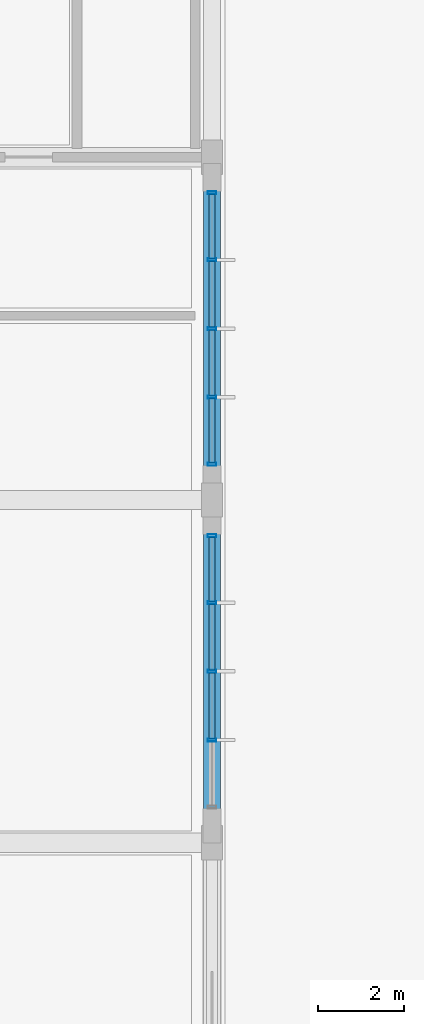
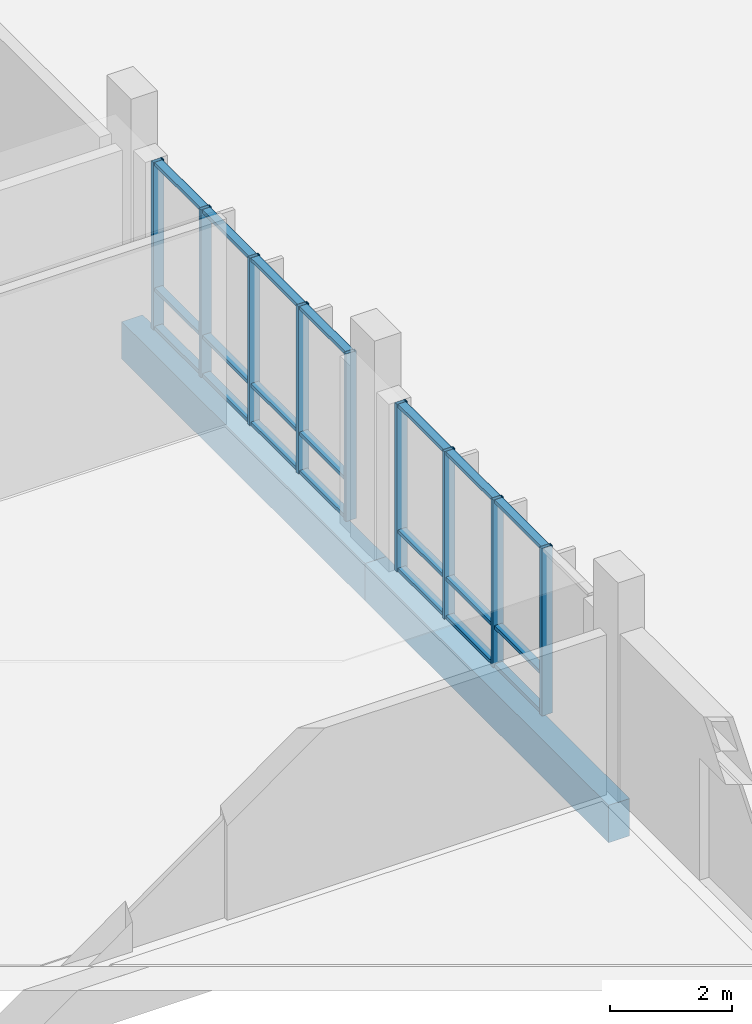
# One storey, part 122 of 233: 30 members, 2 beams, 2 elements without a shape of their own.
"""IFC4 building model written with IfcOpenShell, lengths in metres."""

from ifc_helpers import new_model, si_unit, direction, frame, origin, origin_2d, place, context, subcontext, project, spatial, rectangle, hollow_rectangle, extrude, material, material_profile, profile_set, type_object, element, aggregate, save


model = new_model("IFC4")

# Units and contexts
model_context = context("Model", 3, precision=1e-05, world=origin(), true_north=direction((0.0, 1.0)))
body_context = subcontext(model_context, "Body", "Model", "MODEL_VIEW")
ifc_project = project(units=[si_unit("LENGTHUNIT", "METRE"), si_unit("AREAUNIT", "SQUARE_METRE"), si_unit("VOLUMEUNIT", "CUBIC_METRE"), si_unit("PLANEANGLEUNIT", "RADIAN"), si_unit("MASSUNIT", "GRAM", prefix="KILO")], contexts=[model_context])

# Site, building, storey
site_placement = place(None, origin())
site = spatial("IfcSite", under=ifc_project, at=site_placement, CompositionType="ELEMENT")
building_placement = place(site_placement, origin())
building = spatial("IfcBuilding", under=site, at=building_placement, Name="Zavelmont Quarter", CompositionType="ELEMENT")
storey_placement = place(building_placement, origin())
storey = spatial("IfcBuildingStorey", under=building, at=storey_placement, Name="L00", CompositionType="ELEMENT", Elevation=0.0)

# Beams
ifc_material_1 = material(Name="Concrete C40/50", Category="concrete")
ifc_material_profile_1 = material_profile(ifc_material_1, rectangle(XDim=0.39990234375, YDim=0.75, at=origin_2d()), Name="RC400X750")
ifc_profile_set_1 = profile_set([ifc_material_profile_1], Name="Concrete C40/50")
beam_type = type_object("IfcBeamType", Name="BM05", PredefinedType="BEAM", material=ifc_profile_set_1)
for number, where, z_axis, x_axis, name in (
    (1, (112.800048828125, 62.0, -0.695068359375), (0.0, 1.0, 0.0), (-1.0, 0.0, 0.0), "L00 beam BM05 17/K to 17/L"),
    (2, (112.800048828125, 70.0, -0.695068359375), (0.0, 1.0, 0.0), (-1.0, 0.0, 0.0), "L00 beam BM05 17/L to 17/M"),
):
    element("IfcBeam", number, at=place(storey_placement, frame(where, z_axis=z_axis, x_axis=x_axis)), inside=storey, type_object=beam_type, Name=name, PredefinedType="BEAM", context=body_context, shape_type="SweptSolid", body=[
        extrude(rectangle(XDim=0.39990234375, YDim=0.75, at=origin_2d()), origin(), (0.0, 0.0, 1.0), 8.0),
    ])

# Curtain wall, members
ifc_material_2 = material(Name="Thermally broken aluminium and double low-E safety glazing", Category="aluminium")
curtain_wall_type = type_object("IfcCurtainWallType", Name="CW-640X336", PredefinedType="NOTDEFINED", material=ifc_material_2)
curtain_wall_1_placement = place(storey_placement, origin())
curtain_wall_1 = element("IfcCurtainWall", 3, at=curtain_wall_1_placement, inside=storey, type_object=curtain_wall_type, Name="L00 unitised curtain wall CW-640X336", PredefinedType="NOTDEFINED")
ifc_material_3 = material(Name="Powder-coated aluminium EN AW-6063-T6", Category="aluminium")
ifc_material_profile_2 = material_profile(ifc_material_3, hollow_rectangle(XDim=0.070068359375, YDim=0.199951171875, WallThickness=0.0048828125, at=origin_2d()), Name="CWM70X200")
ifc_profile_set_2 = profile_set([ifc_material_profile_2], Name="Powder-coated aluminium EN AW-6063-T6")
member_type_1 = type_object("IfcMemberType", Name="CWM02", PredefinedType="MULLION", material=ifc_profile_set_2)
member_1_placement = place(storey_placement, frame((112.800048828125, 64.39990234375, 0.0), z_axis=(0.0, 0.0, 1.0), x_axis=(0.0, 1.0, 0.0)))
member_1 = element("IfcMember", 4, at=member_1_placement, type_object=member_type_1, Name="CW-640X336 mullion 2", PredefinedType="MULLION", context=body_context, shape_type="SweptSolid", body=[
    extrude(hollow_rectangle(XDim=0.070068359375, YDim=0.199951171875, WallThickness=0.0048828125, at=origin_2d()), origin(), (0.0, 0.0, 1.0), 3.360107421875),
])
member_2_placement = place(storey_placement, frame((112.800048828125, 66.0, 0.0), z_axis=(0.0, 0.0, 1.0), x_axis=(0.0, 1.0, 0.0)))
member_2 = element("IfcMember", 5, at=member_2_placement, type_object=member_type_1, Name="CW-640X336 mullion 3", PredefinedType="MULLION", context=body_context, shape_type="SweptSolid", body=[
    extrude(hollow_rectangle(XDim=0.070068359375, YDim=0.199951171875, WallThickness=0.0048828125, at=origin_2d()), origin(), (0.0, 0.0, 1.0), 3.360107421875),
])
member_3_placement = place(storey_placement, frame((112.800048828125, 67.60009765625, 0.0), z_axis=(0.0, 0.0, 1.0), x_axis=(0.0, 1.0, 0.0)))
member_3 = element("IfcMember", 6, at=member_3_placement, type_object=member_type_1, Name="CW-640X336 mullion 4", PredefinedType="MULLION", context=body_context, shape_type="SweptSolid", body=[
    extrude(hollow_rectangle(XDim=0.070068359375, YDim=0.199951171875, WallThickness=0.0048828125, at=origin_2d()), origin(), (0.0, 0.0, 1.0), 3.360107421875),
])
member_4_placement = place(storey_placement, frame((112.800048828125, 69.1650390625, 0.0), z_axis=(0.0, 0.0, 1.0), x_axis=(0.0, 1.0, 0.0)))
member_4 = element("IfcMember", 7, at=member_4_placement, type_object=member_type_1, Name="CW-640X336 mullion 5", PredefinedType="MULLION", context=body_context, shape_type="SweptSolid", body=[
    extrude(hollow_rectangle(XDim=0.070068359375, YDim=0.199951171875, WallThickness=0.0048828125, at=origin_2d()), origin(), (0.0, 0.0, 1.0), 3.360107421875),
])

curtain_wall_2_placement = place(storey_placement, origin())
curtain_wall_2 = element("IfcCurtainWall", 8, at=curtain_wall_2_placement, inside=storey, type_object=curtain_wall_type, Name="L00 unitised curtain wall CW-640X336", PredefinedType="NOTDEFINED")
member_5_placement = place(storey_placement, frame((112.800048828125, 70.8349609375, 0.0), z_axis=(0.0, 0.0, 1.0), x_axis=(0.0, 1.0, 0.0)))
member_5 = element("IfcMember", 9, at=member_5_placement, type_object=member_type_1, Name="CW-640X336 mullion 1", PredefinedType="MULLION", context=body_context, shape_type="SweptSolid", body=[
    extrude(hollow_rectangle(XDim=0.070068359375, YDim=0.199951171875, WallThickness=0.0048828125, at=origin_2d()), origin(), (0.0, 0.0, 1.0), 3.360107421875),
])
member_6_placement = place(storey_placement, frame((112.800048828125, 72.39990234375, 0.0), z_axis=(0.0, 0.0, 1.0), x_axis=(0.0, 1.0, 0.0)))
member_6 = element("IfcMember", 10, at=member_6_placement, type_object=member_type_1, Name="CW-640X336 mullion 2", PredefinedType="MULLION", context=body_context, shape_type="SweptSolid", body=[
    extrude(hollow_rectangle(XDim=0.070068359375, YDim=0.199951171875, WallThickness=0.0048828125, at=origin_2d()), origin(), (0.0, 0.0, 1.0), 3.360107421875),
])
member_7_placement = place(storey_placement, frame((112.800048828125, 74.0, 0.0), z_axis=(0.0, 0.0, 1.0), x_axis=(0.0, 1.0, 0.0)))
member_7 = element("IfcMember", 11, at=member_7_placement, type_object=member_type_1, Name="CW-640X336 mullion 3", PredefinedType="MULLION", context=body_context, shape_type="SweptSolid", body=[
    extrude(hollow_rectangle(XDim=0.070068359375, YDim=0.199951171875, WallThickness=0.0048828125, at=origin_2d()), origin(), (0.0, 0.0, 1.0), 3.360107421875),
])
member_8_placement = place(storey_placement, frame((112.800048828125, 75.60009765625, 0.0), z_axis=(0.0, 0.0, 1.0), x_axis=(0.0, 1.0, 0.0)))
member_8 = element("IfcMember", 12, at=member_8_placement, type_object=member_type_1, Name="CW-640X336 mullion 4", PredefinedType="MULLION", context=body_context, shape_type="SweptSolid", body=[
    extrude(hollow_rectangle(XDim=0.070068359375, YDim=0.199951171875, WallThickness=0.0048828125, at=origin_2d()), origin(), (0.0, 0.0, 1.0), 3.360107421875),
])
member_9_placement = place(storey_placement, frame((112.800048828125, 77.1650390625, 0.0), z_axis=(0.0, 0.0, 1.0), x_axis=(0.0, 1.0, 0.0)))
member_9 = element("IfcMember", 13, at=member_9_placement, type_object=member_type_1, Name="CW-640X336 mullion 5", PredefinedType="MULLION", context=body_context, shape_type="SweptSolid", body=[
    extrude(hollow_rectangle(XDim=0.070068359375, YDim=0.199951171875, WallThickness=0.0048828125, at=origin_2d()), origin(), (0.0, 0.0, 1.0), 3.360107421875),
])

# Member
ifc_material_profile_3 = material_profile(ifc_material_3, hollow_rectangle(XDim=0.14990234375, YDim=0.070068359375, WallThickness=0.00439453125, at=origin_2d()), Name="CWT70X150")
ifc_profile_set_3 = profile_set([ifc_material_profile_3], Name="Powder-coated aluminium EN AW-6063-T6")
member_type_2 = type_object("IfcMemberType", Name="CWT02", PredefinedType="NOTDEFINED", material=ifc_profile_set_3)
member_10_placement = place(storey_placement, frame((112.800048828125, 64.43505859375, 0.034912109375), z_axis=(0.0, 1.0, 0.0), x_axis=(-1.0, 0.0, 0.0)))
member_10 = element("IfcMember", 14, at=member_10_placement, type_object=member_type_2, Name="CW-640X336 transom 2.1", ObjectType="TRANSOM", PredefinedType="USERDEFINED", context=body_context, shape_type="SweptSolid", body=[
    extrude(hollow_rectangle(XDim=0.14990234375, YDim=0.070068359375, WallThickness=0.00439453125, at=origin_2d()), origin(), (0.0, 0.0, 1.0), 1.530029296875),
])

member_11_placement = place(storey_placement, frame((112.800048828125, 64.43505859375, 0.805908203125), z_axis=(0.0, 1.0, 0.0), x_axis=(-1.0, 0.0, 0.0)))
member_11 = element("IfcMember", 15, at=member_11_placement, type_object=member_type_2, Name="CW-640X336 transom 2.2", ObjectType="TRANSOM", PredefinedType="USERDEFINED", context=body_context, shape_type="SweptSolid", body=[
    extrude(hollow_rectangle(XDim=0.14990234375, YDim=0.070068359375, WallThickness=0.00439453125, at=origin_2d()), origin(), (0.0, 0.0, 1.0), 1.530029296875),
])

member_12_placement = place(storey_placement, frame((112.800048828125, 64.43505859375, 3.324951171875), z_axis=(0.0, 1.0, 0.0), x_axis=(-1.0, 0.0, 0.0)))
member_12 = element("IfcMember", 16, at=member_12_placement, type_object=member_type_2, Name="CW-640X336 transom 2.3", ObjectType="TRANSOM", PredefinedType="USERDEFINED", context=body_context, shape_type="SweptSolid", body=[
    extrude(hollow_rectangle(XDim=0.14990234375, YDim=0.070068359375, WallThickness=0.00439453125, at=origin_2d()), origin(), (0.0, 0.0, 1.0), 1.530029296875),
])

member_13_placement = place(storey_placement, frame((112.800048828125, 66.034912109375, 0.034912109375), z_axis=(0.0, 1.0, 0.0), x_axis=(-1.0, 0.0, 0.0)))
member_13 = element("IfcMember", 17, at=member_13_placement, type_object=member_type_2, Name="CW-640X336 transom 3.1", ObjectType="TRANSOM", PredefinedType="USERDEFINED", context=body_context, shape_type="SweptSolid", body=[
    extrude(hollow_rectangle(XDim=0.14990234375, YDim=0.070068359375, WallThickness=0.00439453125, at=origin_2d()), origin(), (0.0, 0.0, 1.0), 1.530029296875),
])

member_14_placement = place(storey_placement, frame((112.800048828125, 66.034912109375, 0.805908203125), z_axis=(0.0, 1.0, 0.0), x_axis=(-1.0, 0.0, 0.0)))
member_14 = element("IfcMember", 18, at=member_14_placement, type_object=member_type_2, Name="CW-640X336 transom 3.2", ObjectType="TRANSOM", PredefinedType="USERDEFINED", context=body_context, shape_type="SweptSolid", body=[
    extrude(hollow_rectangle(XDim=0.14990234375, YDim=0.070068359375, WallThickness=0.00439453125, at=origin_2d()), origin(), (0.0, 0.0, 1.0), 1.530029296875),
])

member_15_placement = place(storey_placement, frame((112.800048828125, 66.034912109375, 3.324951171875), z_axis=(0.0, 1.0, 0.0), x_axis=(-1.0, 0.0, 0.0)))
member_15 = element("IfcMember", 19, at=member_15_placement, type_object=member_type_2, Name="CW-640X336 transom 3.3", ObjectType="TRANSOM", PredefinedType="USERDEFINED", context=body_context, shape_type="SweptSolid", body=[
    extrude(hollow_rectangle(XDim=0.14990234375, YDim=0.070068359375, WallThickness=0.00439453125, at=origin_2d()), origin(), (0.0, 0.0, 1.0), 1.530029296875),
])

member_16_placement = place(storey_placement, frame((112.800048828125, 67.635009765625, 0.034912109375), z_axis=(0.0, 1.0, 0.0), x_axis=(-1.0, 0.0, 0.0)))
member_16 = element("IfcMember", 20, at=member_16_placement, type_object=member_type_2, Name="CW-640X336 transom 4.1", ObjectType="TRANSOM", PredefinedType="USERDEFINED", context=body_context, shape_type="SweptSolid", body=[
    extrude(hollow_rectangle(XDim=0.14990234375, YDim=0.070068359375, WallThickness=0.00439453125, at=origin_2d()), origin(), (0.0, 0.0, 1.0), 1.494873046875),
])

member_17_placement = place(storey_placement, frame((112.800048828125, 67.635009765625, 0.805908203125), z_axis=(0.0, 1.0, 0.0), x_axis=(-1.0, 0.0, 0.0)))
member_17 = element("IfcMember", 21, at=member_17_placement, type_object=member_type_2, Name="CW-640X336 transom 4.2", ObjectType="TRANSOM", PredefinedType="USERDEFINED", context=body_context, shape_type="SweptSolid", body=[
    extrude(hollow_rectangle(XDim=0.14990234375, YDim=0.070068359375, WallThickness=0.00439453125, at=origin_2d()), origin(), (0.0, 0.0, 1.0), 1.494873046875),
])

member_18_placement = place(storey_placement, frame((112.800048828125, 67.635009765625, 3.324951171875), z_axis=(0.0, 1.0, 0.0), x_axis=(-1.0, 0.0, 0.0)))
member_18 = element("IfcMember", 22, at=member_18_placement, type_object=member_type_2, Name="CW-640X336 transom 4.3", ObjectType="TRANSOM", PredefinedType="USERDEFINED", context=body_context, shape_type="SweptSolid", body=[
    extrude(hollow_rectangle(XDim=0.14990234375, YDim=0.070068359375, WallThickness=0.00439453125, at=origin_2d()), origin(), (0.0, 0.0, 1.0), 1.494873046875),
])

aggregate(curtain_wall_1, [member_1, member_2, member_3, member_4, member_10, member_11, member_12, member_13, member_14, member_15, member_16, member_17, member_18])

member_19_placement = place(storey_placement, frame((112.800048828125, 70.8701171875, 0.034912109375), z_axis=(0.0, 1.0, 0.0), x_axis=(-1.0, 0.0, 0.0)))
member_19 = element("IfcMember", 23, at=member_19_placement, type_object=member_type_2, Name="CW-640X336 transom 1.1", ObjectType="TRANSOM", PredefinedType="USERDEFINED", context=body_context, shape_type="SweptSolid", body=[
    extrude(hollow_rectangle(XDim=0.14990234375, YDim=0.070068359375, WallThickness=0.00439453125, at=origin_2d()), origin(), (0.0, 0.0, 1.0), 1.494873046875),
])

member_20_placement = place(storey_placement, frame((112.800048828125, 70.8701171875, 0.805908203125), z_axis=(0.0, 1.0, 0.0), x_axis=(-1.0, 0.0, 0.0)))
member_20 = element("IfcMember", 24, at=member_20_placement, type_object=member_type_2, Name="CW-640X336 transom 1.2", ObjectType="TRANSOM", PredefinedType="USERDEFINED", context=body_context, shape_type="SweptSolid", body=[
    extrude(hollow_rectangle(XDim=0.14990234375, YDim=0.070068359375, WallThickness=0.00439453125, at=origin_2d()), origin(), (0.0, 0.0, 1.0), 1.494873046875),
])

member_21_placement = place(storey_placement, frame((112.800048828125, 70.8701171875, 3.324951171875), z_axis=(0.0, 1.0, 0.0), x_axis=(-1.0, 0.0, 0.0)))
member_21 = element("IfcMember", 25, at=member_21_placement, type_object=member_type_2, Name="CW-640X336 transom 1.3", ObjectType="TRANSOM", PredefinedType="USERDEFINED", context=body_context, shape_type="SweptSolid", body=[
    extrude(hollow_rectangle(XDim=0.14990234375, YDim=0.070068359375, WallThickness=0.00439453125, at=origin_2d()), origin(), (0.0, 0.0, 1.0), 1.494873046875),
])

member_22_placement = place(storey_placement, frame((112.800048828125, 72.43505859375, 0.034912109375), z_axis=(0.0, 1.0, 0.0), x_axis=(-1.0, 0.0, 0.0)))
member_22 = element("IfcMember", 26, at=member_22_placement, type_object=member_type_2, Name="CW-640X336 transom 2.1", ObjectType="TRANSOM", PredefinedType="USERDEFINED", context=body_context, shape_type="SweptSolid", body=[
    extrude(hollow_rectangle(XDim=0.14990234375, YDim=0.070068359375, WallThickness=0.00439453125, at=origin_2d()), origin(), (0.0, 0.0, 1.0), 1.530029296875),
])

member_23_placement = place(storey_placement, frame((112.800048828125, 72.43505859375, 0.805908203125), z_axis=(0.0, 1.0, 0.0), x_axis=(-1.0, 0.0, 0.0)))
member_23 = element("IfcMember", 27, at=member_23_placement, type_object=member_type_2, Name="CW-640X336 transom 2.2", ObjectType="TRANSOM", PredefinedType="USERDEFINED", context=body_context, shape_type="SweptSolid", body=[
    extrude(hollow_rectangle(XDim=0.14990234375, YDim=0.070068359375, WallThickness=0.00439453125, at=origin_2d()), origin(), (0.0, 0.0, 1.0), 1.530029296875),
])

member_24_placement = place(storey_placement, frame((112.800048828125, 72.43505859375, 3.324951171875), z_axis=(0.0, 1.0, 0.0), x_axis=(-1.0, 0.0, 0.0)))
member_24 = element("IfcMember", 28, at=member_24_placement, type_object=member_type_2, Name="CW-640X336 transom 2.3", ObjectType="TRANSOM", PredefinedType="USERDEFINED", context=body_context, shape_type="SweptSolid", body=[
    extrude(hollow_rectangle(XDim=0.14990234375, YDim=0.070068359375, WallThickness=0.00439453125, at=origin_2d()), origin(), (0.0, 0.0, 1.0), 1.530029296875),
])

member_25_placement = place(storey_placement, frame((112.800048828125, 74.034912109375, 0.034912109375), z_axis=(0.0, 1.0, 0.0), x_axis=(-1.0, 0.0, 0.0)))
member_25 = element("IfcMember", 29, at=member_25_placement, type_object=member_type_2, Name="CW-640X336 transom 3.1", ObjectType="TRANSOM", PredefinedType="USERDEFINED", context=body_context, shape_type="SweptSolid", body=[
    extrude(hollow_rectangle(XDim=0.14990234375, YDim=0.070068359375, WallThickness=0.00439453125, at=origin_2d()), origin(), (0.0, 0.0, 1.0), 1.530029296875),
])

member_26_placement = place(storey_placement, frame((112.800048828125, 74.034912109375, 0.805908203125), z_axis=(0.0, 1.0, 0.0), x_axis=(-1.0, 0.0, 0.0)))
member_26 = element("IfcMember", 30, at=member_26_placement, type_object=member_type_2, Name="CW-640X336 transom 3.2", ObjectType="TRANSOM", PredefinedType="USERDEFINED", context=body_context, shape_type="SweptSolid", body=[
    extrude(hollow_rectangle(XDim=0.14990234375, YDim=0.070068359375, WallThickness=0.00439453125, at=origin_2d()), origin(), (0.0, 0.0, 1.0), 1.530029296875),
])

member_27_placement = place(storey_placement, frame((112.800048828125, 74.034912109375, 3.324951171875), z_axis=(0.0, 1.0, 0.0), x_axis=(-1.0, 0.0, 0.0)))
member_27 = element("IfcMember", 31, at=member_27_placement, type_object=member_type_2, Name="CW-640X336 transom 3.3", ObjectType="TRANSOM", PredefinedType="USERDEFINED", context=body_context, shape_type="SweptSolid", body=[
    extrude(hollow_rectangle(XDim=0.14990234375, YDim=0.070068359375, WallThickness=0.00439453125, at=origin_2d()), origin(), (0.0, 0.0, 1.0), 1.530029296875),
])

member_28_placement = place(storey_placement, frame((112.800048828125, 75.635009765625, 0.034912109375), z_axis=(0.0, 1.0, 0.0), x_axis=(-1.0, 0.0, 0.0)))
member_28 = element("IfcMember", 32, at=member_28_placement, type_object=member_type_2, Name="CW-640X336 transom 4.1", ObjectType="TRANSOM", PredefinedType="USERDEFINED", context=body_context, shape_type="SweptSolid", body=[
    extrude(hollow_rectangle(XDim=0.14990234375, YDim=0.070068359375, WallThickness=0.00439453125, at=origin_2d()), origin(), (0.0, 0.0, 1.0), 1.494873046875),
])

member_29_placement = place(storey_placement, frame((112.800048828125, 75.635009765625, 0.805908203125), z_axis=(0.0, 1.0, 0.0), x_axis=(-1.0, 0.0, 0.0)))
member_29 = element("IfcMember", 33, at=member_29_placement, type_object=member_type_2, Name="CW-640X336 transom 4.2", ObjectType="TRANSOM", PredefinedType="USERDEFINED", context=body_context, shape_type="SweptSolid", body=[
    extrude(hollow_rectangle(XDim=0.14990234375, YDim=0.070068359375, WallThickness=0.00439453125, at=origin_2d()), origin(), (0.0, 0.0, 1.0), 1.494873046875),
])

member_30_placement = place(storey_placement, frame((112.800048828125, 75.635009765625, 3.324951171875), z_axis=(0.0, 1.0, 0.0), x_axis=(-1.0, 0.0, 0.0)))
member_30 = element("IfcMember", 34, at=member_30_placement, type_object=member_type_2, Name="CW-640X336 transom 4.3", ObjectType="TRANSOM", PredefinedType="USERDEFINED", context=body_context, shape_type="SweptSolid", body=[
    extrude(hollow_rectangle(XDim=0.14990234375, YDim=0.070068359375, WallThickness=0.00439453125, at=origin_2d()), origin(), (0.0, 0.0, 1.0), 1.494873046875),
])

aggregate(curtain_wall_2, [member_5, member_6, member_7, member_8, member_9, member_19, member_20, member_21, member_22, member_23, member_24, member_25, member_26, member_27, member_28, member_29, member_30])

save(model, "model.ifc")
